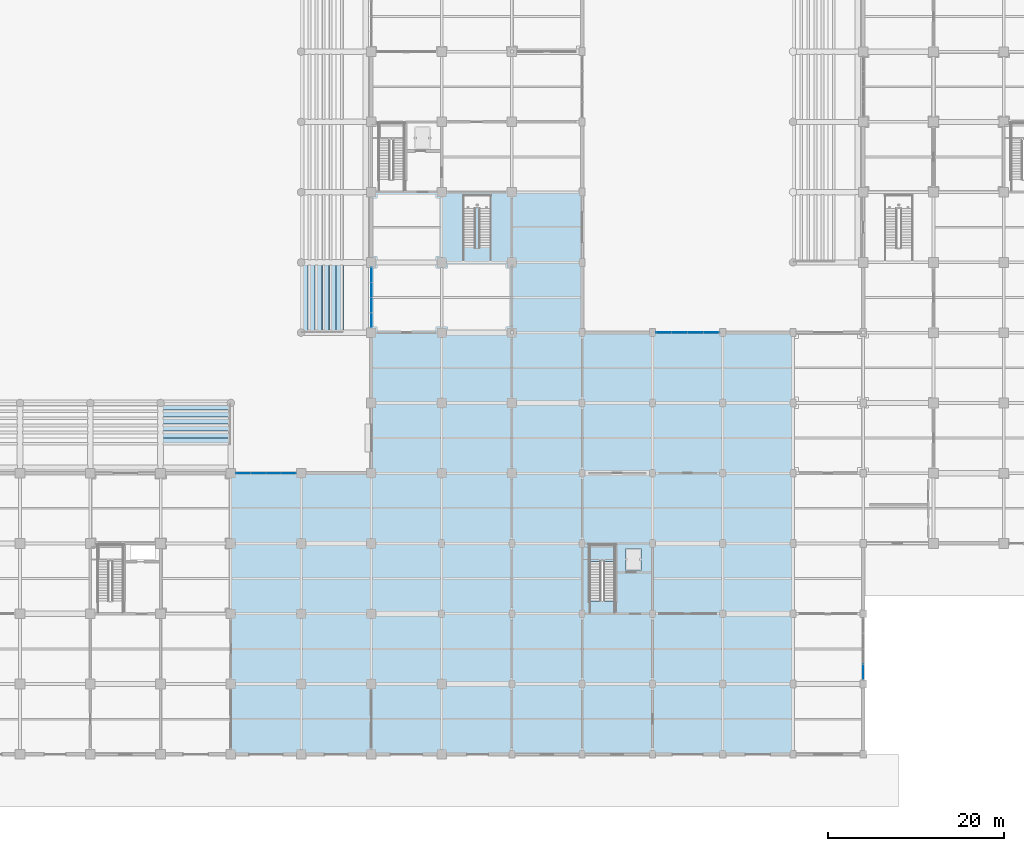
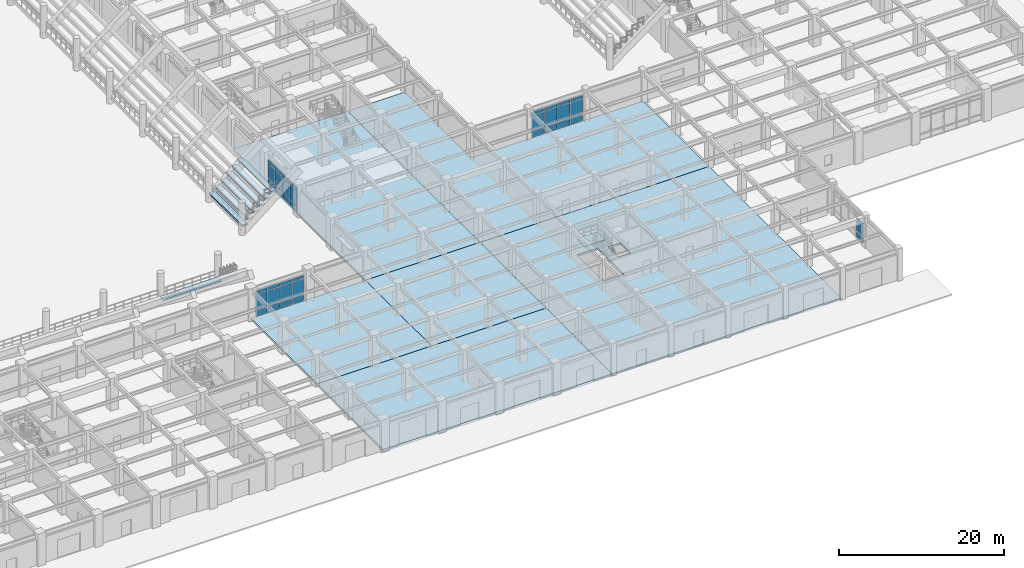
# One storey, part 62 of 125: 38 plates, 19 slabs, 5 elements without a shape of their own.
"""IFC4 building model written with IfcOpenShell, lengths in metres."""

from ifc_helpers import new_model, si_unit, direction, frame, origin, origin_2d, place, context, subcontext, project, spatial, polyline, rectangle, outline, extrude, material, layer, layer_set, type_object, element, aggregate, save


model = new_model("IFC4")

# Units and contexts
model_context = context("Model", 3, precision=1e-05, world=origin(), true_north=direction((0.0, 1.0)))
body_context = subcontext(model_context, "Body", "Model", "MODEL_VIEW")
ifc_project = project(units=[si_unit("LENGTHUNIT", "METRE"), si_unit("AREAUNIT", "SQUARE_METRE"), si_unit("VOLUMEUNIT", "CUBIC_METRE"), si_unit("PLANEANGLEUNIT", "RADIAN"), si_unit("MASSUNIT", "GRAM", prefix="KILO")], contexts=[model_context])

# Site, building, storey
site_placement = place(None, origin())
site = spatial("IfcSite", under=ifc_project, at=site_placement, CompositionType="ELEMENT")
building_placement = place(site_placement, origin())
building = spatial("IfcBuilding", under=site, at=building_placement, Name="Haebicheon Civic Stadium", CompositionType="ELEMENT")
storey_placement = place(building_placement, origin())
storey = spatial("IfcBuildingStorey", under=building, at=storey_placement, Name="L01", CompositionType="ELEMENT", Elevation=0.0)

# Curtain wall, plates
ifc_material_1 = material(Name="Anodised aluminium and laminated glass", Category="aluminium")
ifc_layer_1 = layer(ifc_material_1, 0.179931640625, Name="Anodised aluminium and laminated glass")
ifc_layer_set_1 = layer_set([ifc_layer_1], Name="Anodised aluminium and laminated glass")
curtain_wall_type_1 = type_object("IfcCurtainWallType", Name="CW-6900x3810", PredefinedType="NOTDEFINED", material=ifc_layer_set_1)
curtain_wall_1_placement = place(storey_placement, origin())
curtain_wall_1 = element("IfcCurtainWall", 1, at=curtain_wall_1_placement, inside=storey, type_object=curtain_wall_type_1, material=ifc_layer_set_1, Name="L01 unitised curtain wall 012", PredefinedType="NOTDEFINED")
ifc_material_2 = material(Name="Double low-e laminated glass", Category="glass")
ifc_layer_2 = layer(ifc_material_2, 0.028076171875, Name="Double low-e laminated glass")
ifc_layer_set_2 = layer_set([ifc_layer_2], Name="Double low-e laminated glass")
plate_type_1 = type_object("IfcPlateType", Name="CWP-GLZ-28", PredefinedType="CURTAIN_PANEL", material=ifc_layer_set_2)
plate_1_placement = place(storey_placement, frame((129.431884765625, 32.0, 0.93994140625), z_axis=(0.0, 0.0, 1.0), x_axis=(1.0, 0.0, 0.0)))
plate_1 = element("IfcPlate", 2, at=plate_1_placement, type_object=plate_type_1, material=ifc_layer_set_2, Name="CW-L01-012 vision panel 1.2", PredefinedType="CURTAIN_PANEL", context=body_context, shape_type="SweptSolid", body=[
    extrude(rectangle(XDim=1.60498046875, YDim=0.028076171875, at=origin_2d()), origin(), (0.0, 0.0, 1.0), 2.280029296875),
])
plate_2_placement = place(storey_placement, frame((131.137939453125, 32.0, 0.93994140625), z_axis=(0.0, 0.0, 1.0), x_axis=(1.0, 0.0, 0.0)))
plate_2 = element("IfcPlate", 3, at=plate_2_placement, type_object=plate_type_1, material=ifc_layer_set_2, Name="CW-L01-012 vision panel 2.2", PredefinedType="CURTAIN_PANEL", context=body_context, shape_type="SweptSolid", body=[
    extrude(rectangle(XDim=1.64501953125, YDim=0.028076171875, at=origin_2d()), origin(), (0.0, 0.0, 1.0), 2.280029296875),
])
plate_3_placement = place(storey_placement, frame((132.862060546875, 32.0, 0.93994140625), z_axis=(0.0, 0.0, 1.0), x_axis=(1.0, 0.0, 0.0)))
plate_3 = element("IfcPlate", 4, at=plate_3_placement, type_object=plate_type_1, material=ifc_layer_set_2, Name="CW-L01-012 vision panel 3.2", PredefinedType="CURTAIN_PANEL", context=body_context, shape_type="SweptSolid", body=[
    extrude(rectangle(XDim=1.64501953125, YDim=0.028076171875, at=origin_2d()), origin(), (0.0, 0.0, 1.0), 2.280029296875),
])
plate_4_placement = place(storey_placement, frame((134.568115234375, 32.0, 0.93994140625), z_axis=(0.0, 0.0, 1.0), x_axis=(1.0, 0.0, 0.0)))
plate_4 = element("IfcPlate", 5, at=plate_4_placement, type_object=plate_type_1, material=ifc_layer_set_2, Name="CW-L01-012 vision panel 4.2", PredefinedType="CURTAIN_PANEL", context=body_context, shape_type="SweptSolid", body=[
    extrude(rectangle(XDim=1.60498046875, YDim=0.028076171875, at=origin_2d()), origin(), (0.0, 0.0, 1.0), 2.280029296875),
])

ifc_material_3 = material(Name="Anodised aluminium and laminated glass", Category="aluminium")
ifc_layer_3 = layer(ifc_material_3, 0.179931640625, Name="Anodised aluminium and laminated glass")
ifc_layer_set_3 = layer_set([ifc_layer_3], Name="Anodised aluminium and laminated glass")
curtain_wall_type_2 = type_object("IfcCurtainWallType", Name="CW-6900x3660", PredefinedType="NOTDEFINED", material=ifc_layer_set_3)
curtain_wall_2_placement = place(storey_placement, origin())
curtain_wall_2 = element("IfcCurtainWall", 6, at=curtain_wall_2_placement, inside=storey, type_object=curtain_wall_type_2, material=ifc_layer_set_3, Name="L01 unitised curtain wall 013", PredefinedType="NOTDEFINED")
plate_5_placement = place(storey_placement, frame((144.0, 49.431884765625, 0.93994140625), z_axis=(0.0, 0.0, 1.0), x_axis=(0.0, 1.0, 0.0)))
plate_5 = element("IfcPlate", 7, at=plate_5_placement, type_object=plate_type_1, material=ifc_layer_set_2, Name="CW-L01-013 vision panel 1.2", PredefinedType="CURTAIN_PANEL", context=body_context, shape_type="SweptSolid", body=[
    extrude(rectangle(XDim=1.60498046875, YDim=0.028076171875, at=origin_2d()), origin(), (0.0, 0.0, 1.0), 2.1298828125),
])
plate_6_placement = place(storey_placement, frame((144.0, 51.136962890625, 0.93994140625), z_axis=(0.0, 0.0, 1.0), x_axis=(0.0, 1.0, 0.0)))
plate_6 = element("IfcPlate", 8, at=plate_6_placement, type_object=plate_type_1, material=ifc_layer_set_2, Name="CW-L01-013 vision panel 2.2", PredefinedType="CURTAIN_PANEL", context=body_context, shape_type="SweptSolid", body=[
    extrude(rectangle(XDim=1.64501953125, YDim=0.028076171875, at=origin_2d()), origin(), (0.0, 0.0, 1.0), 2.1298828125),
])
plate_7_placement = place(storey_placement, frame((144.0, 52.862060546875, 0.93994140625), z_axis=(0.0, 0.0, 1.0), x_axis=(0.0, 1.0, 0.0)))
plate_7 = element("IfcPlate", 9, at=plate_7_placement, type_object=plate_type_1, material=ifc_layer_set_2, Name="CW-L01-013 vision panel 3.2", PredefinedType="CURTAIN_PANEL", context=body_context, shape_type="SweptSolid", body=[
    extrude(rectangle(XDim=1.64501953125, YDim=0.028076171875, at=origin_2d()), origin(), (0.0, 0.0, 1.0), 2.1298828125),
])
plate_8_placement = place(storey_placement, frame((144.0, 54.568115234375, 0.93994140625), z_axis=(0.0, 0.0, 1.0), x_axis=(0.0, 1.0, 0.0)))
plate_8 = element("IfcPlate", 10, at=plate_8_placement, type_object=plate_type_1, material=ifc_layer_set_2, Name="CW-L01-013 vision panel 4.2", PredefinedType="CURTAIN_PANEL", context=body_context, shape_type="SweptSolid", body=[
    extrude(rectangle(XDim=1.60498046875, YDim=0.028076171875, at=origin_2d()), origin(), (0.0, 0.0, 1.0), 2.1298828125),
])

ifc_material_4 = material(Name="Anodised aluminium and laminated glass", Category="aluminium")
ifc_layer_4 = layer(ifc_material_4, 0.179931640625, Name="Anodised aluminium and laminated glass")
ifc_layer_set_4 = layer_set([ifc_layer_4], Name="Anodised aluminium and laminated glass")
curtain_wall_type_3 = type_object("IfcCurtainWallType", Name="CW-7300x3810", PredefinedType="NOTDEFINED", material=ifc_layer_set_4)
curtain_wall_3_placement = place(storey_placement, origin())
curtain_wall_3 = element("IfcCurtainWall", 11, at=curtain_wall_3_placement, inside=storey, type_object=curtain_wall_type_3, material=ifc_layer_set_4, Name="L01 unitised curtain wall 021", PredefinedType="NOTDEFINED")
plate_9_placement = place(storey_placement, frame((177.281982421875, 48.0, 0.93994140625), z_axis=(0.0, 0.0, 1.0), x_axis=(1.0, 0.0, 0.0)))
plate_9 = element("IfcPlate", 12, at=plate_9_placement, type_object=plate_type_1, material=ifc_layer_set_2, Name="CW-L01-021 vision panel 1.2", PredefinedType="CURTAIN_PANEL", context=body_context, shape_type="SweptSolid", body=[
    extrude(rectangle(XDim=1.705078125, YDim=0.028076171875, at=origin_2d()), origin(), (0.0, 0.0, 1.0), 2.280029296875),
])
plate_10_placement = place(storey_placement, frame((179.087890625, 48.0, 0.93994140625), z_axis=(0.0, 0.0, 1.0), x_axis=(1.0, 0.0, 0.0)))
plate_10 = element("IfcPlate", 13, at=plate_10_placement, type_object=plate_type_1, material=ifc_layer_set_2, Name="CW-L01-021 vision panel 2.2", PredefinedType="CURTAIN_PANEL", context=body_context, shape_type="SweptSolid", body=[
    extrude(rectangle(XDim=1.7451171875, YDim=0.028076171875, at=origin_2d()), origin(), (0.0, 0.0, 1.0), 2.280029296875),
])
plate_11_placement = place(storey_placement, frame((180.912109375, 48.0, 0.93994140625), z_axis=(0.0, 0.0, 1.0), x_axis=(1.0, 0.0, 0.0)))
plate_11 = element("IfcPlate", 14, at=plate_11_placement, type_object=plate_type_1, material=ifc_layer_set_2, Name="CW-L01-021 vision panel 3.2", PredefinedType="CURTAIN_PANEL", context=body_context, shape_type="SweptSolid", body=[
    extrude(rectangle(XDim=1.7451171875, YDim=0.028076171875, at=origin_2d()), origin(), (0.0, 0.0, 1.0), 2.280029296875),
])
plate_12_placement = place(storey_placement, frame((182.718017578125, 48.0, 0.93994140625), z_axis=(0.0, 0.0, 1.0), x_axis=(1.0, 0.0, 0.0)))
plate_12 = element("IfcPlate", 15, at=plate_12_placement, type_object=plate_type_1, material=ifc_layer_set_2, Name="CW-L01-021 vision panel 4.2", PredefinedType="CURTAIN_PANEL", context=body_context, shape_type="SweptSolid", body=[
    extrude(rectangle(XDim=1.705078125, YDim=0.028076171875, at=origin_2d()), origin(), (0.0, 0.0, 1.0), 2.280029296875),
])

# Curtain wall, plate
ifc_material_5 = material(Name="Anodised aluminium and laminated glass", Category="aluminium")
ifc_layer_5 = layer(ifc_material_5, 0.179931640625, Name="Anodised aluminium and laminated glass")
ifc_layer_set_5 = layer_set([ifc_layer_5], Name="Anodised aluminium and laminated glass")
curtain_wall_type_4 = type_object("IfcCurtainWallType", Name="CW-7100x3660", PredefinedType="NOTDEFINED", material=ifc_layer_set_5)
curtain_wall_4_placement = place(storey_placement, origin())
curtain_wall_4 = element("IfcCurtainWall", 16, at=curtain_wall_4_placement, inside=storey, type_object=curtain_wall_type_4, material=ifc_layer_set_5, Name="L01 unitised curtain wall 023", PredefinedType="NOTDEFINED")
plate_13_placement = place(storey_placement, frame((200.0, 9.35791015625, 0.93994140625), z_axis=(0.0, 0.0, 1.0), x_axis=(0.0, 1.0, 0.0)))
plate_13 = element("IfcPlate", 17, at=plate_13_placement, type_object=plate_type_1, material=ifc_layer_set_2, Name="CW-L01-023 vision panel 1.2", PredefinedType="CURTAIN_PANEL", context=body_context, shape_type="SweptSolid", body=[
    extrude(rectangle(XDim=1.655029296875, YDim=0.028076171875, at=origin_2d()), origin(), (0.0, 0.0, 1.0), 2.1298828125),
])

# Plate
ifc_material_6 = material(Name="Anodised aluminium 6063-T6", Category="aluminium")
ifc_layer_6 = layer(ifc_material_6, 0.0439453125, Name="Anodised aluminium 6063-T6")
ifc_layer_set_6 = layer_set([ifc_layer_6], Name="Anodised aluminium 6063-T6")
plate_type_2 = type_object("IfcPlateType", Name="CWP-SPD-44", PredefinedType="CURTAIN_PANEL", material=ifc_layer_set_6)
plate_14_placement = place(storey_placement, frame((129.431884765625, 32.0, 0.0400390625), z_axis=(0.0, 0.0, 1.0), x_axis=(1.0, 0.0, 0.0)))
plate_14 = element("IfcPlate", 18, at=plate_14_placement, type_object=plate_type_2, material=ifc_layer_set_6, Name="CW-L01-012 spandrel panel 1.1", PredefinedType="CURTAIN_PANEL", context=body_context, shape_type="SweptSolid", body=[
    extrude(rectangle(XDim=1.60498046875, YDim=0.0439453125, at=origin_2d()), origin(), (0.0, 0.0, 1.0), 0.820068359375),
])

plate_15_placement = place(storey_placement, frame((129.431884765625, 32.0, 3.2998046875), z_axis=(0.0, 0.0, 1.0), x_axis=(1.0, 0.0, 0.0)))
plate_15 = element("IfcPlate", 19, at=plate_15_placement, type_object=plate_type_2, material=ifc_layer_set_6, Name="CW-L01-012 spandrel panel 1.3", PredefinedType="CURTAIN_PANEL", context=body_context, shape_type="SweptSolid", body=[
    extrude(rectangle(XDim=1.60498046875, YDim=0.0439453125, at=origin_2d()), origin(), (0.0, 0.0, 1.0), 0.469970703125),
])

plate_16_placement = place(storey_placement, frame((131.137939453125, 32.0, 0.0400390625), z_axis=(0.0, 0.0, 1.0), x_axis=(1.0, 0.0, 0.0)))
plate_16 = element("IfcPlate", 20, at=plate_16_placement, type_object=plate_type_2, material=ifc_layer_set_6, Name="CW-L01-012 spandrel panel 2.1", PredefinedType="CURTAIN_PANEL", context=body_context, shape_type="SweptSolid", body=[
    extrude(rectangle(XDim=1.64501953125, YDim=0.0439453125, at=origin_2d()), origin(), (0.0, 0.0, 1.0), 0.820068359375),
])

plate_17_placement = place(storey_placement, frame((131.137939453125, 32.0, 3.2998046875), z_axis=(0.0, 0.0, 1.0), x_axis=(1.0, 0.0, 0.0)))
plate_17 = element("IfcPlate", 21, at=plate_17_placement, type_object=plate_type_2, material=ifc_layer_set_6, Name="CW-L01-012 spandrel panel 2.3", PredefinedType="CURTAIN_PANEL", context=body_context, shape_type="SweptSolid", body=[
    extrude(rectangle(XDim=1.64501953125, YDim=0.0439453125, at=origin_2d()), origin(), (0.0, 0.0, 1.0), 0.469970703125),
])

plate_18_placement = place(storey_placement, frame((132.862060546875, 32.0, 0.0400390625), z_axis=(0.0, 0.0, 1.0), x_axis=(1.0, 0.0, 0.0)))
plate_18 = element("IfcPlate", 22, at=plate_18_placement, type_object=plate_type_2, material=ifc_layer_set_6, Name="CW-L01-012 spandrel panel 3.1", PredefinedType="CURTAIN_PANEL", context=body_context, shape_type="SweptSolid", body=[
    extrude(rectangle(XDim=1.64501953125, YDim=0.0439453125, at=origin_2d()), origin(), (0.0, 0.0, 1.0), 0.820068359375),
])

plate_19_placement = place(storey_placement, frame((132.862060546875, 32.0, 3.2998046875), z_axis=(0.0, 0.0, 1.0), x_axis=(1.0, 0.0, 0.0)))
plate_19 = element("IfcPlate", 23, at=plate_19_placement, type_object=plate_type_2, material=ifc_layer_set_6, Name="CW-L01-012 spandrel panel 3.3", PredefinedType="CURTAIN_PANEL", context=body_context, shape_type="SweptSolid", body=[
    extrude(rectangle(XDim=1.64501953125, YDim=0.0439453125, at=origin_2d()), origin(), (0.0, 0.0, 1.0), 0.469970703125),
])

plate_20_placement = place(storey_placement, frame((134.568115234375, 32.0, 0.0400390625), z_axis=(0.0, 0.0, 1.0), x_axis=(1.0, 0.0, 0.0)))
plate_20 = element("IfcPlate", 24, at=plate_20_placement, type_object=plate_type_2, material=ifc_layer_set_6, Name="CW-L01-012 spandrel panel 4.1", PredefinedType="CURTAIN_PANEL", context=body_context, shape_type="SweptSolid", body=[
    extrude(rectangle(XDim=1.60498046875, YDim=0.0439453125, at=origin_2d()), origin(), (0.0, 0.0, 1.0), 0.820068359375),
])

plate_21_placement = place(storey_placement, frame((134.568115234375, 32.0, 3.2998046875), z_axis=(0.0, 0.0, 1.0), x_axis=(1.0, 0.0, 0.0)))
plate_21 = element("IfcPlate", 25, at=plate_21_placement, type_object=plate_type_2, material=ifc_layer_set_6, Name="CW-L01-012 spandrel panel 4.3", PredefinedType="CURTAIN_PANEL", context=body_context, shape_type="SweptSolid", body=[
    extrude(rectangle(XDim=1.60498046875, YDim=0.0439453125, at=origin_2d()), origin(), (0.0, 0.0, 1.0), 0.469970703125),
])

aggregate(curtain_wall_1, [plate_14, plate_1, plate_15, plate_16, plate_2, plate_17, plate_18, plate_3, plate_19, plate_20, plate_4, plate_21])

plate_22_placement = place(storey_placement, frame((144.0, 49.431884765625, 0.0400390625), z_axis=(0.0, 0.0, 1.0), x_axis=(0.0, 1.0, 0.0)))
plate_22 = element("IfcPlate", 26, at=plate_22_placement, type_object=plate_type_2, material=ifc_layer_set_6, Name="CW-L01-013 spandrel panel 1.1", PredefinedType="CURTAIN_PANEL", context=body_context, shape_type="SweptSolid", body=[
    extrude(rectangle(XDim=1.60498046875, YDim=0.0439453125, at=origin_2d()), origin(), (0.0, 0.0, 1.0), 0.820068359375),
])

plate_23_placement = place(storey_placement, frame((144.0, 49.431884765625, 3.14990234375), z_axis=(0.0, 0.0, 1.0), x_axis=(0.0, 1.0, 0.0)))
plate_23 = element("IfcPlate", 27, at=plate_23_placement, type_object=plate_type_2, material=ifc_layer_set_6, Name="CW-L01-013 spandrel panel 1.3", PredefinedType="CURTAIN_PANEL", context=body_context, shape_type="SweptSolid", body=[
    extrude(rectangle(XDim=1.60498046875, YDim=0.0439453125, at=origin_2d()), origin(), (0.0, 0.0, 1.0), 0.469970703125),
])

plate_24_placement = place(storey_placement, frame((144.0, 51.136962890625, 0.0400390625), z_axis=(0.0, 0.0, 1.0), x_axis=(0.0, 1.0, 0.0)))
plate_24 = element("IfcPlate", 28, at=plate_24_placement, type_object=plate_type_2, material=ifc_layer_set_6, Name="CW-L01-013 spandrel panel 2.1", PredefinedType="CURTAIN_PANEL", context=body_context, shape_type="SweptSolid", body=[
    extrude(rectangle(XDim=1.64501953125, YDim=0.0439453125, at=origin_2d()), origin(), (0.0, 0.0, 1.0), 0.820068359375),
])

plate_25_placement = place(storey_placement, frame((144.0, 51.136962890625, 3.14990234375), z_axis=(0.0, 0.0, 1.0), x_axis=(0.0, 1.0, 0.0)))
plate_25 = element("IfcPlate", 29, at=plate_25_placement, type_object=plate_type_2, material=ifc_layer_set_6, Name="CW-L01-013 spandrel panel 2.3", PredefinedType="CURTAIN_PANEL", context=body_context, shape_type="SweptSolid", body=[
    extrude(rectangle(XDim=1.64501953125, YDim=0.0439453125, at=origin_2d()), origin(), (0.0, 0.0, 1.0), 0.469970703125),
])

plate_26_placement = place(storey_placement, frame((144.0, 52.862060546875, 0.0400390625), z_axis=(0.0, 0.0, 1.0), x_axis=(0.0, 1.0, 0.0)))
plate_26 = element("IfcPlate", 30, at=plate_26_placement, type_object=plate_type_2, material=ifc_layer_set_6, Name="CW-L01-013 spandrel panel 3.1", PredefinedType="CURTAIN_PANEL", context=body_context, shape_type="SweptSolid", body=[
    extrude(rectangle(XDim=1.64501953125, YDim=0.0439453125, at=origin_2d()), origin(), (0.0, 0.0, 1.0), 0.820068359375),
])

plate_27_placement = place(storey_placement, frame((144.0, 52.862060546875, 3.14990234375), z_axis=(0.0, 0.0, 1.0), x_axis=(0.0, 1.0, 0.0)))
plate_27 = element("IfcPlate", 31, at=plate_27_placement, type_object=plate_type_2, material=ifc_layer_set_6, Name="CW-L01-013 spandrel panel 3.3", PredefinedType="CURTAIN_PANEL", context=body_context, shape_type="SweptSolid", body=[
    extrude(rectangle(XDim=1.64501953125, YDim=0.0439453125, at=origin_2d()), origin(), (0.0, 0.0, 1.0), 0.469970703125),
])

plate_28_placement = place(storey_placement, frame((144.0, 54.568115234375, 0.0400390625), z_axis=(0.0, 0.0, 1.0), x_axis=(0.0, 1.0, 0.0)))
plate_28 = element("IfcPlate", 32, at=plate_28_placement, type_object=plate_type_2, material=ifc_layer_set_6, Name="CW-L01-013 spandrel panel 4.1", PredefinedType="CURTAIN_PANEL", context=body_context, shape_type="SweptSolid", body=[
    extrude(rectangle(XDim=1.60498046875, YDim=0.0439453125, at=origin_2d()), origin(), (0.0, 0.0, 1.0), 0.820068359375),
])

plate_29_placement = place(storey_placement, frame((144.0, 54.568115234375, 3.14990234375), z_axis=(0.0, 0.0, 1.0), x_axis=(0.0, 1.0, 0.0)))
plate_29 = element("IfcPlate", 33, at=plate_29_placement, type_object=plate_type_2, material=ifc_layer_set_6, Name="CW-L01-013 spandrel panel 4.3", PredefinedType="CURTAIN_PANEL", context=body_context, shape_type="SweptSolid", body=[
    extrude(rectangle(XDim=1.60498046875, YDim=0.0439453125, at=origin_2d()), origin(), (0.0, 0.0, 1.0), 0.469970703125),
])

aggregate(curtain_wall_2, [plate_22, plate_5, plate_23, plate_24, plate_6, plate_25, plate_26, plate_7, plate_27, plate_28, plate_8, plate_29])

plate_30_placement = place(storey_placement, frame((177.281982421875, 48.0, 0.0400390625), z_axis=(0.0, 0.0, 1.0), x_axis=(1.0, 0.0, 0.0)))
plate_30 = element("IfcPlate", 34, at=plate_30_placement, type_object=plate_type_2, material=ifc_layer_set_6, Name="CW-L01-021 spandrel panel 1.1", PredefinedType="CURTAIN_PANEL", context=body_context, shape_type="SweptSolid", body=[
    extrude(rectangle(XDim=1.705078125, YDim=0.0439453125, at=origin_2d()), origin(), (0.0, 0.0, 1.0), 0.820068359375),
])

plate_31_placement = place(storey_placement, frame((177.281982421875, 48.0, 3.2998046875), z_axis=(0.0, 0.0, 1.0), x_axis=(1.0, 0.0, 0.0)))
plate_31 = element("IfcPlate", 35, at=plate_31_placement, type_object=plate_type_2, material=ifc_layer_set_6, Name="CW-L01-021 spandrel panel 1.3", PredefinedType="CURTAIN_PANEL", context=body_context, shape_type="SweptSolid", body=[
    extrude(rectangle(XDim=1.705078125, YDim=0.0439453125, at=origin_2d()), origin(), (0.0, 0.0, 1.0), 0.469970703125),
])

plate_32_placement = place(storey_placement, frame((179.087890625, 48.0, 0.0400390625), z_axis=(0.0, 0.0, 1.0), x_axis=(1.0, 0.0, 0.0)))
plate_32 = element("IfcPlate", 36, at=plate_32_placement, type_object=plate_type_2, material=ifc_layer_set_6, Name="CW-L01-021 spandrel panel 2.1", PredefinedType="CURTAIN_PANEL", context=body_context, shape_type="SweptSolid", body=[
    extrude(rectangle(XDim=1.7451171875, YDim=0.0439453125, at=origin_2d()), origin(), (0.0, 0.0, 1.0), 0.820068359375),
])

plate_33_placement = place(storey_placement, frame((179.087890625, 48.0, 3.2998046875), z_axis=(0.0, 0.0, 1.0), x_axis=(1.0, 0.0, 0.0)))
plate_33 = element("IfcPlate", 37, at=plate_33_placement, type_object=plate_type_2, material=ifc_layer_set_6, Name="CW-L01-021 spandrel panel 2.3", PredefinedType="CURTAIN_PANEL", context=body_context, shape_type="SweptSolid", body=[
    extrude(rectangle(XDim=1.7451171875, YDim=0.0439453125, at=origin_2d()), origin(), (0.0, 0.0, 1.0), 0.469970703125),
])

plate_34_placement = place(storey_placement, frame((180.912109375, 48.0, 0.0400390625), z_axis=(0.0, 0.0, 1.0), x_axis=(1.0, 0.0, 0.0)))
plate_34 = element("IfcPlate", 38, at=plate_34_placement, type_object=plate_type_2, material=ifc_layer_set_6, Name="CW-L01-021 spandrel panel 3.1", PredefinedType="CURTAIN_PANEL", context=body_context, shape_type="SweptSolid", body=[
    extrude(rectangle(XDim=1.7451171875, YDim=0.0439453125, at=origin_2d()), origin(), (0.0, 0.0, 1.0), 0.820068359375),
])

plate_35_placement = place(storey_placement, frame((180.912109375, 48.0, 3.2998046875), z_axis=(0.0, 0.0, 1.0), x_axis=(1.0, 0.0, 0.0)))
plate_35 = element("IfcPlate", 39, at=plate_35_placement, type_object=plate_type_2, material=ifc_layer_set_6, Name="CW-L01-021 spandrel panel 3.3", PredefinedType="CURTAIN_PANEL", context=body_context, shape_type="SweptSolid", body=[
    extrude(rectangle(XDim=1.7451171875, YDim=0.0439453125, at=origin_2d()), origin(), (0.0, 0.0, 1.0), 0.469970703125),
])

plate_36_placement = place(storey_placement, frame((182.718017578125, 48.0, 0.0400390625), z_axis=(0.0, 0.0, 1.0), x_axis=(1.0, 0.0, 0.0)))
plate_36 = element("IfcPlate", 40, at=plate_36_placement, type_object=plate_type_2, material=ifc_layer_set_6, Name="CW-L01-021 spandrel panel 4.1", PredefinedType="CURTAIN_PANEL", context=body_context, shape_type="SweptSolid", body=[
    extrude(rectangle(XDim=1.705078125, YDim=0.0439453125, at=origin_2d()), origin(), (0.0, 0.0, 1.0), 0.820068359375),
])

plate_37_placement = place(storey_placement, frame((182.718017578125, 48.0, 3.2998046875), z_axis=(0.0, 0.0, 1.0), x_axis=(1.0, 0.0, 0.0)))
plate_37 = element("IfcPlate", 41, at=plate_37_placement, type_object=plate_type_2, material=ifc_layer_set_6, Name="CW-L01-021 spandrel panel 4.3", PredefinedType="CURTAIN_PANEL", context=body_context, shape_type="SweptSolid", body=[
    extrude(rectangle(XDim=1.705078125, YDim=0.0439453125, at=origin_2d()), origin(), (0.0, 0.0, 1.0), 0.469970703125),
])

aggregate(curtain_wall_3, [plate_30, plate_9, plate_31, plate_32, plate_10, plate_33, plate_34, plate_11, plate_35, plate_36, plate_12, plate_37])

plate_38_placement = place(storey_placement, frame((200.0, 9.35791015625, 0.0400390625), z_axis=(0.0, 0.0, 1.0), x_axis=(0.0, 1.0, 0.0)))
plate_38 = element("IfcPlate", 42, at=plate_38_placement, type_object=plate_type_2, material=ifc_layer_set_6, Name="CW-L01-023 spandrel panel 1.1", PredefinedType="CURTAIN_PANEL", context=body_context, shape_type="SweptSolid", body=[
    extrude(rectangle(XDim=1.655029296875, YDim=0.0439453125, at=origin_2d()), origin(), (0.0, 0.0, 1.0), 0.820068359375),
])

aggregate(curtain_wall_4, [plate_38, plate_13])

# Slabs
ifc_material_7 = material(Name="Concrete C40/50", Category="concrete")
ifc_layer_7 = layer(ifc_material_7, 0.300048828125, Name="Concrete C40/50")
ifc_layer_set_7 = layer_set([ifc_layer_7], Name="Concrete C40/50")
slab_type_1 = type_object("IfcSlabType", Name="SLB-FLR-300", PredefinedType="FLOOR", material=ifc_layer_set_7)
slab_1_placement = place(storey_placement, frame((0.0, 0.0, -0.300048828125)))
element("IfcSlab", 43, at=slab_1_placement, inside=storey, type_object=slab_type_1, material=ifc_layer_set_7, Name="L01 V2 structural slab 7.1", PredefinedType="FLOOR", context=body_context, shape_type="SweptSolid", body=[
    extrude(outline(polyline([(128.0, 24.0), (128.0, 32.0), (136.0, 32.0), (144.0, 32.0), (144.0, 24.0), (144.0, 16.0), (136.0, 16.0), (128.0, 16.0), (128.0, 24.0)])), origin(), (0.0, 0.0, 1.0), 0.300048828125),
])
slab_2_placement = place(storey_placement, frame((0.0, 0.0, -0.300048828125)))
element("IfcSlab", 44, at=slab_2_placement, inside=storey, type_object=slab_type_1, material=ifc_layer_set_7, Name="L01 V2 structural slab 8.1", PredefinedType="FLOOR", context=body_context, shape_type="SweptSolid", body=[
    extrude(outline(polyline([(144.0, 48.0), (144.0, 56.0), (144.0, 64.0), (152.0, 64.0), (160.0, 64.0), (160.0, 56.0), (160.0, 48.0), (160.0, 40.0), (160.0, 32.0), (152.0, 32.0), (144.0, 32.0), (144.0, 40.0), (144.0, 48.0)])), origin(), (0.0, 0.0, 1.0), 0.300048828125),
])
slab_3_placement = place(storey_placement, frame((0.0, 0.0, -0.300048828125)))
element("IfcSlab", 45, at=slab_3_placement, inside=storey, type_object=slab_type_1, material=ifc_layer_set_7, Name="L01 V4 structural slab 1.1", PredefinedType="FLOOR", context=body_context, shape_type="SweptSolid", body=[
    extrude(outline(polyline([(144.0, 24.0), (144.0, 32.0), (152.0, 32.0), (160.0, 32.0), (160.0, 24.0), (160.0, 16.0), (152.0, 16.0), (144.0, 16.0), (144.0, 24.0)])), origin(), (0.0, 0.0, 1.0), 0.300048828125),
])
slab_4_placement = place(storey_placement, frame((0.0, 0.0, -0.300048828125)))
element("IfcSlab", 46, at=slab_4_placement, inside=storey, type_object=slab_type_1, material=ifc_layer_set_7, Name="L01 V4 structural slab 4.1", PredefinedType="FLOOR", context=body_context, shape_type="SweptSolid", body=[
    extrude(outline(polyline([(160.0, 24.0), (160.0, 32.0), (168.0, 32.0), (176.0, 32.0), (184.0, 32.0), (192.0, 32.0), (192.0, 24.0), (192.0, 16.0), (192.0, 8.0), (192.0, 0.0), (184.0, 0.0), (176.0, 0.0), (168.0, 0.0), (160.0, 0.0), (160.0, 8.0), (160.0, 16.0), (160.0, 24.0)]), holes=[polyline([(168.840087890625, 17.4599609375), (171.739990234375, 17.4599609375), (171.739990234375, 23.840087890625), (168.840087890625, 23.840087890625), (168.840087890625, 17.4599609375)]), polyline([(172.969970703125, 20.929931640625), (174.669921875, 20.929931640625), (174.669921875, 23.429931640625), (172.969970703125, 23.429931640625), (172.969970703125, 20.929931640625)])]), origin(), (0.0, 0.0, 1.0), 0.300048828125),
])
slab_5_placement = place(storey_placement, frame((0.0, 0.0, -0.300048828125)))
element("IfcSlab", 47, at=slab_5_placement, inside=storey, type_object=slab_type_1, material=ifc_layer_set_7, Name="L01 V4 structural slab 5.1", PredefinedType="FLOOR", context=body_context, shape_type="SweptSolid", body=[
    extrude(outline(polyline([(160.0, 48.0), (160.0, 56.0), (160.0, 64.0), (168.0, 64.0), (168.0, 56.0), (168.0, 48.0), (176.0, 48.0), (184.0, 48.0), (192.0, 48.0), (192.0, 40.0), (192.0, 32.0), (184.0, 32.0), (176.0, 32.0), (168.0, 32.0), (160.0, 32.0), (160.0, 40.0), (160.0, 48.0)])), origin(), (0.0, 0.0, 1.0), 0.300048828125),
])
ifc_material_8 = material(Name="Concrete C40/50", Category="concrete")
ifc_layer_8 = layer(ifc_material_8, 0.35009765625, Name="Concrete C40/50")
ifc_layer_set_8 = layer_set([ifc_layer_8], Name="Concrete C40/50")
slab_type_2 = type_object("IfcSlabType", Name="SLB-FLR-350", PredefinedType="FLOOR", material=ifc_layer_set_8)
slab_6_placement = place(storey_placement, frame((0.0, 0.0, -0.35009765625)))
element("IfcSlab", 48, at=slab_6_placement, inside=storey, type_object=slab_type_2, material=ifc_layer_set_8, Name="L01 V6 structural slab 5.1", PredefinedType="FLOOR", context=body_context, shape_type="SweptSolid", body=[
    extrude(outline(polyline([(160.0, 0.0), (152.0, 0.0), (144.0, 0.0), (136.0, 0.0), (128.0, 0.0), (128.0, 8.0), (128.0, 16.0), (136.0, 16.0), (144.0, 16.0), (152.0, 16.0), (160.0, 16.0), (160.0, 8.0), (160.0, 0.0)])), origin(), (0.0, 0.0, 1.0), 0.35009765625),
])

# Stair, slab
ifc_material_9 = material(Name="Concrete C40/50", Category="concrete")
stair_type = type_object("IfcStairType", Name="STR-DL-W128-H48", PredefinedType="HALF_TURN_STAIR", material=ifc_material_9)
stair_placement = place(storey_placement, origin())
stair = element("IfcStair", 49, at=stair_placement, inside=storey, type_object=stair_type, material=ifc_material_9, Name="L01 Escape stair ST-14", PredefinedType="HALF_TURN_STAIR")
ifc_material_10 = material(Name="Concrete C40/50", Category="concrete")
ifc_layer_9 = layer(ifc_material_10, 0.199951171875, Name="Concrete C40/50")
ifc_layer_set_9 = layer_set([ifc_layer_9], Name="Concrete C40/50")
slab_type_3 = type_object("IfcSlabType", Name="SLB-LND-200", PredefinedType="LANDING", material=ifc_layer_set_9)
slab_7_placement = place(storey_placement, frame((0.0, 0.0, 2.199951171875)))
slab_7 = element("IfcSlab", 50, at=slab_7_placement, type_object=slab_type_3, material=ifc_layer_set_9, Name="ST-14 landing 1", PredefinedType="LANDING", context=body_context, shape_type="SweptSolid", body=[
    extrude(outline(polyline([(171.739990234375, 21.949951171875), (171.739990234375, 23.840087890625), (168.840087890625, 23.840087890625), (168.840087890625, 21.949951171875), (171.739990234375, 21.949951171875)])), origin(), (0.0, 0.0, 1.0), 0.199951171875),
])
aggregate(stair, [slab_7])

# Slabs
ifc_material_11 = material(Name="Precast concrete C40/50", Category="concrete")
ifc_layer_10 = layer(ifc_material_11, 0.239990234375, Name="Precast concrete C40/50")
ifc_layer_set_10 = layer_set([ifc_layer_10], Name="Precast concrete C40/50")
slab_type_4 = type_object("IfcSlabType", Name="SLB-TIER-240", PredefinedType="USERDEFINED", material=ifc_layer_set_10)
slab_8_placement = place(storey_placement, frame((0.0, 0.0, 0.9599609375)))
element("IfcSlab", 51, at=slab_8_placement, inside=storey, type_object=slab_type_4, material=ifc_layer_set_10, Name="TIER-E-L precast seating tier bay 1 row-band 1", ObjectType="SEATING TIER", PredefinedType="USERDEFINED", context=body_context, shape_type="SweptSolid", body=[
    extrude(outline(polyline([(136.0, 48.0), (136.800048828125, 48.0), (136.800048828125, 56.0), (136.0, 56.0), (136.0, 48.0)])), origin(), (0.0, 0.0, 1.0), 0.239990234375),
])
slab_9_placement = place(storey_placement, frame((0.0, 0.0, 1.6708984375)))
element("IfcSlab", 52, at=slab_9_placement, inside=storey, type_object=slab_type_4, material=ifc_layer_set_10, Name="TIER-E-L precast seating tier bay 1 row-band 2", ObjectType="SEATING TIER", PredefinedType="USERDEFINED", context=body_context, shape_type="SweptSolid", body=[
    extrude(outline(polyline([(136.800048828125, 48.0), (137.60009765625, 48.0), (137.60009765625, 56.0), (136.800048828125, 56.0), (136.800048828125, 48.0)])), origin(), (0.0, 0.0, 1.0), 0.239990234375),
])
slab_10_placement = place(storey_placement, frame((0.0, 0.0, 2.382080078125)))
element("IfcSlab", 53, at=slab_10_placement, inside=storey, type_object=slab_type_4, material=ifc_layer_set_10, Name="TIER-E-L precast seating tier bay 1 row-band 3", ObjectType="SEATING TIER", PredefinedType="USERDEFINED", context=body_context, shape_type="SweptSolid", body=[
    extrude(outline(polyline([(137.60009765625, 48.0), (138.39990234375, 48.0), (138.39990234375, 56.0), (137.60009765625, 56.0), (137.60009765625, 48.0)])), origin(), (0.0, 0.0, 1.0), 0.239990234375),
])
slab_11_placement = place(storey_placement, frame((0.0, 0.0, 3.093017578125)))
element("IfcSlab", 54, at=slab_11_placement, inside=storey, type_object=slab_type_4, material=ifc_layer_set_10, Name="TIER-E-L precast seating tier bay 1 row-band 4", ObjectType="SEATING TIER", PredefinedType="USERDEFINED", context=body_context, shape_type="SweptSolid", body=[
    extrude(outline(polyline([(138.39990234375, 48.0), (139.199951171875, 48.0), (139.199951171875, 56.0), (138.39990234375, 56.0), (138.39990234375, 48.0)])), origin(), (0.0, 0.0, 1.0), 0.239990234375),
])
slab_12_placement = place(storey_placement, frame((0.0, 0.0, 3.803955078125)))
element("IfcSlab", 55, at=slab_12_placement, inside=storey, type_object=slab_type_4, material=ifc_layer_set_10, Name="TIER-E-L precast seating tier bay 1 row-band 5", ObjectType="SEATING TIER", PredefinedType="USERDEFINED", context=body_context, shape_type="SweptSolid", body=[
    extrude(outline(polyline([(139.199951171875, 48.0), (140.0, 48.0), (140.0, 56.0), (139.199951171875, 56.0), (139.199951171875, 48.0)])), origin(), (0.0, 0.0, 1.0), 0.239990234375),
])
slab_13_placement = place(storey_placement, frame((0.0, 0.0, 4.51611328125)))
element("IfcSlab", 56, at=slab_13_placement, inside=storey, type_object=slab_type_4, material=ifc_layer_set_10, Name="TIER-E-L precast seating tier bay 1 row-band 6", ObjectType="SEATING TIER", PredefinedType="USERDEFINED", context=body_context, shape_type="SweptSolid", body=[
    extrude(outline(polyline([(140.0, 48.0), (140.800048828125, 48.0), (140.800048828125, 56.0), (140.0, 56.0), (140.0, 48.0)])), origin(), (0.0, 0.0, 1.0), 0.239990234375),
])
slab_14_placement = place(storey_placement, frame((0.0, 0.0, 0.9599609375)))
element("IfcSlab", 57, at=slab_14_placement, inside=storey, type_object=slab_type_4, material=ifc_layer_set_10, Name="TIER-S-L precast seating tier bay 6 row-band 1", ObjectType="SEATING TIER", PredefinedType="USERDEFINED", context=body_context, shape_type="SweptSolid", body=[
    extrude(outline(polyline([(120.0, 39.199951171875), (128.0, 39.199951171875), (128.0, 40.0), (120.0, 40.0), (120.0, 39.199951171875)])), origin(), (0.0, 0.0, 1.0), 0.239990234375),
])
slab_15_placement = place(storey_placement, frame((0.0, 0.0, 1.626953125)))
element("IfcSlab", 58, at=slab_15_placement, inside=storey, type_object=slab_type_4, material=ifc_layer_set_10, Name="TIER-S-L precast seating tier bay 6 row-band 2", ObjectType="SEATING TIER", PredefinedType="USERDEFINED", context=body_context, shape_type="SweptSolid", body=[
    extrude(outline(polyline([(120.0, 38.39990234375), (128.0, 38.39990234375), (128.0, 39.199951171875), (120.0, 39.199951171875), (120.0, 38.39990234375)])), origin(), (0.0, 0.0, 1.0), 0.239990234375),
])
slab_16_placement = place(storey_placement, frame((0.0, 0.0, 2.29296875)))
element("IfcSlab", 59, at=slab_16_placement, inside=storey, type_object=slab_type_4, material=ifc_layer_set_10, Name="TIER-S-L precast seating tier bay 6 row-band 3", ObjectType="SEATING TIER", PredefinedType="USERDEFINED", context=body_context, shape_type="SweptSolid", body=[
    extrude(outline(polyline([(120.0, 37.60009765625), (128.0, 37.60009765625), (128.0, 38.39990234375), (120.0, 38.39990234375), (120.0, 37.60009765625)])), origin(), (0.0, 0.0, 1.0), 0.239990234375),
])
slab_17_placement = place(storey_placement, frame((0.0, 0.0, 2.9599609375)))
element("IfcSlab", 60, at=slab_17_placement, inside=storey, type_object=slab_type_4, material=ifc_layer_set_10, Name="TIER-S-L precast seating tier bay 6 row-band 4", ObjectType="SEATING TIER", PredefinedType="USERDEFINED", context=body_context, shape_type="SweptSolid", body=[
    extrude(outline(polyline([(120.0, 36.800048828125), (128.0, 36.800048828125), (128.0, 37.60009765625), (120.0, 37.60009765625), (120.0, 36.800048828125)])), origin(), (0.0, 0.0, 1.0), 0.239990234375),
])
slab_18_placement = place(storey_placement, frame((0.0, 0.0, 3.626953125)))
element("IfcSlab", 61, at=slab_18_placement, inside=storey, type_object=slab_type_4, material=ifc_layer_set_10, Name="TIER-S-L precast seating tier bay 6 row-band 5", ObjectType="SEATING TIER", PredefinedType="USERDEFINED", context=body_context, shape_type="SweptSolid", body=[
    extrude(outline(polyline([(120.0, 36.0), (128.0, 36.0), (128.0, 36.800048828125), (120.0, 36.800048828125), (120.0, 36.0)])), origin(), (0.0, 0.0, 1.0), 0.239990234375),
])
slab_19_placement = place(storey_placement, frame((0.0, 0.0, 4.29296875)))
element("IfcSlab", 62, at=slab_19_placement, inside=storey, type_object=slab_type_4, material=ifc_layer_set_10, Name="TIER-S-L precast seating tier bay 6 row-band 6", ObjectType="SEATING TIER", PredefinedType="USERDEFINED", context=body_context, shape_type="SweptSolid", body=[
    extrude(outline(polyline([(120.0, 35.199951171875), (128.0, 35.199951171875), (128.0, 36.0), (120.0, 36.0), (120.0, 35.199951171875)])), origin(), (0.0, 0.0, 1.0), 0.239990234375),
])

save(model, "model.ifc")
